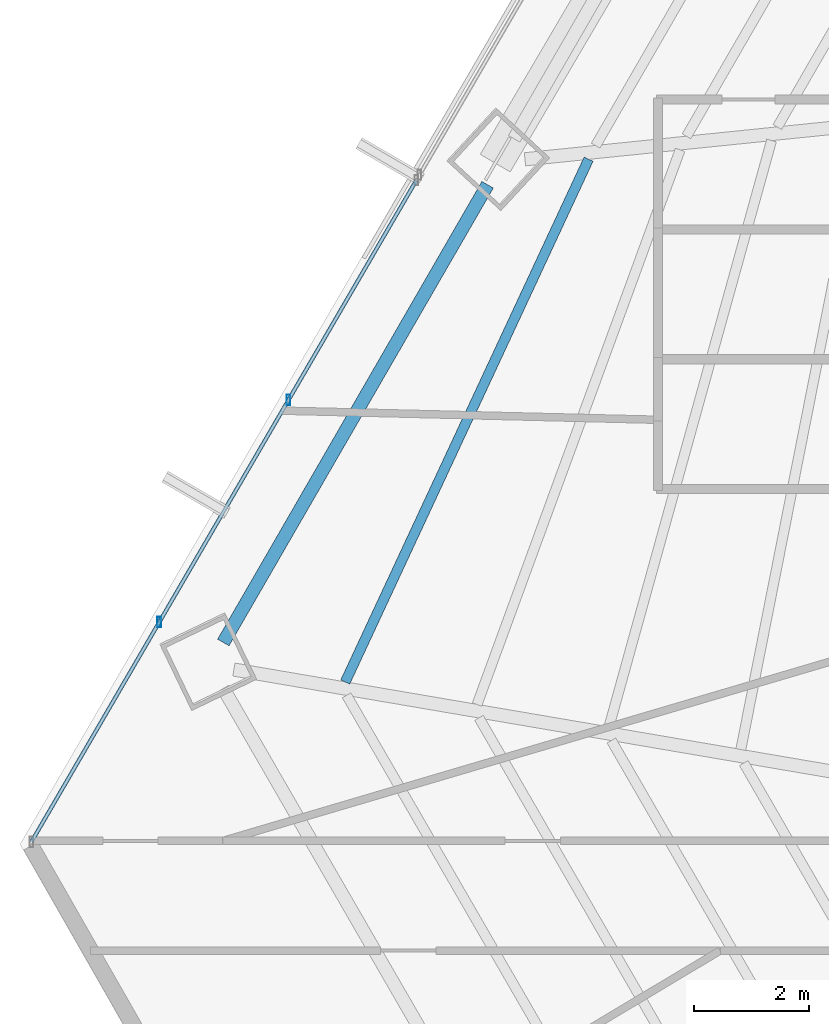
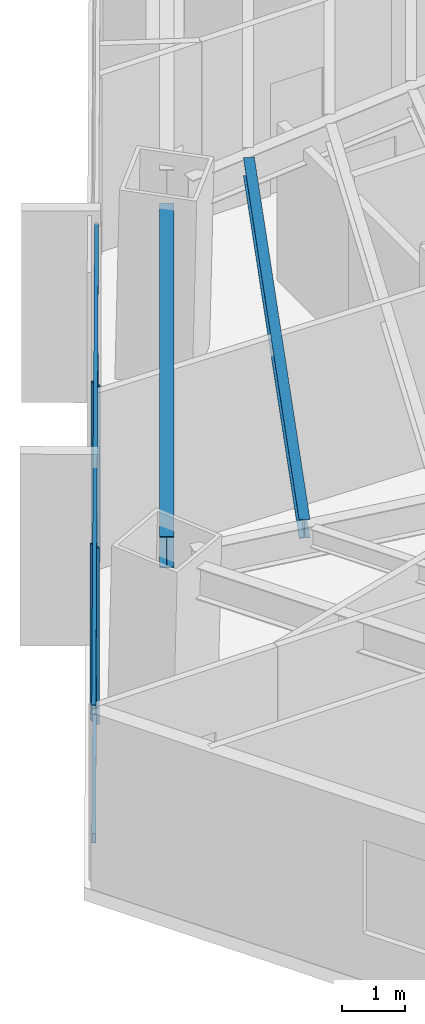
# One storey, part 11 of 36: 4 members, 2 beams, 1 element without a shape of its own.
"""IFC4 building model written with IfcOpenShell, lengths in metres."""

from ifc_helpers import new_model, si_unit, direction, frame, origin, origin_2d, place, context, subcontext, project, spatial, hollow_rectangle, i_section, extrude, source, transform, mapped, material, material_profile, profile_set, type_object, type_shapes, element, aggregate, save


model = new_model("IFC4")

# Units and contexts
model_context = context("Model", 3, precision=1e-05, world=origin(), true_north=direction((0.0, 1.0)))
body_context = subcontext(model_context, "Body", "Model", "MODEL_VIEW")
ifc_project = project(units=[si_unit("LENGTHUNIT", "METRE"), si_unit("AREAUNIT", "SQUARE_METRE"), si_unit("VOLUMEUNIT", "CUBIC_METRE"), si_unit("PLANEANGLEUNIT", "RADIAN"), si_unit("MASSUNIT", "GRAM", prefix="KILO")], contexts=[model_context])

# Site, building, storey
site_placement = place(None, origin())
site = spatial("IfcSite", under=ifc_project, at=site_placement, CompositionType="ELEMENT")
building_placement = place(site_placement, origin())
building = spatial("IfcBuilding", under=site, at=building_placement, Name="Caelisora Broadcast Tower", CompositionType="ELEMENT")
storey_placement = place(building_placement, frame((0.0, 0.0, 60.449951171875)))
storey = spatial("IfcBuildingStorey", under=building, at=storey_placement, Name="L15", CompositionType="ELEMENT", Elevation=60.449951171875)

# Beams
ifc_material_1 = material(Name="Steel Grade 350 (AS/NZS 3679.1)", Category="steel")
ifc_material_profile_1 = material_profile(ifc_material_1, i_section(OverallWidth=0.22900390625, OverallDepth=0.611572265625, WebThickness=0.011962890625, FlangeThickness=0.01953125, at=origin_2d()), Name="Steel Grade 350 (AS/NZS 3679.1)")
ifc_profile_set_1 = profile_set([ifc_material_profile_1], Name="Steel Grade 350 (AS/NZS 3679.1)")
beam_type_1 = type_object("IfcBeamType", Name="PG03", PredefinedType="BEAM", material=ifc_profile_set_1)
shared_shape_1 = source(origin(), body_context, "Body", "SweptSolid", [
    extrude(i_section(OverallWidth=0.22900390625, OverallDepth=0.611572265625, WebThickness=0.011962890625, FlangeThickness=0.01953125, at=origin_2d()), origin(), (0.0, 0.0, 1.0), 9.162353515625),
])
type_shapes(beam_type_1, [shared_shape_1])
beam_1_placement = place(storey_placement, frame((19.247802734375, 28.47412109375, 3.09423828125), z_axis=(-0.500010769599, -0.866019185864, 0.0), x_axis=(0.866019185864, -0.500010769599, 0.0)))
element("IfcBeam", 1, at=beam_1_placement, inside=storey, type_object=beam_type_1, Name="L15 beam PG03", PredefinedType="BEAM", context=body_context, shape_type="MappedRepresentation", body=[
    mapped(shared_shape_1, transform((0.0, 0.0, 0.0), scale=1.0)),
])
ifc_material_profile_2 = material_profile(ifc_material_1, i_section(OverallWidth=0.172119140625, OverallDepth=0.358642578125, WebThickness=0.008056640625, FlangeThickness=0.012939453125, at=origin_2d()), Name="Steel Grade 350 (AS/NZS 3679.1)")
ifc_profile_set_2 = profile_set([ifc_material_profile_2], Name="Steel Grade 350 (AS/NZS 3679.1)")
beam_type_2 = type_object("IfcBeamType", Name="SB02", PredefinedType="JOIST", material=ifc_profile_set_2)
shared_shape_2 = source(origin(), body_context, "Body", "SweptSolid", [
    extrude(i_section(OverallWidth=0.172119140625, OverallDepth=0.358642578125, WebThickness=0.008056640625, FlangeThickness=0.012939453125, at=origin_2d()), origin(), (0.0, 0.0, 1.0), 9.995849609375),
])
type_shapes(beam_type_2, [shared_shape_2])
beam_2_placement = place(storey_placement, frame((20.997802734375, 28.916015625, 3.220703125), z_axis=(-0.421978701991, -0.906605744007, 0.0), x_axis=(0.906605744007, -0.421978701991, 0.0)))
element("IfcBeam", 2, at=beam_2_placement, inside=storey, type_object=beam_type_2, Name="L15 beam SB02", PredefinedType="JOIST", context=body_context, shape_type="MappedRepresentation", body=[
    mapped(shared_shape_2, transform((0.0, 0.0, 0.0), scale=1.0)),
])

# Curtain wall, members
ifc_material_2 = material(Name="Unitised Aluminium and Low-E Glass Curtain Wall", Category="glass")
curtain_wall_type = type_object("IfcCurtainWallType", Name="CW-Z1", PredefinedType="NOTDEFINED", material=ifc_material_2)
curtain_wall_placement = place(storey_placement, origin())
curtain_wall = element("IfcCurtainWall", 3, at=curtain_wall_placement, inside=storey, type_object=curtain_wall_type, Name="L15 curtain wall CW-Z1", PredefinedType="NOTDEFINED")
ifc_material_3 = material(Name="Aluminium 6063-T6 Anodised Terracotta Bronze", Category="aluminium")
ifc_material_profile_3 = material_profile(ifc_material_3, hollow_rectangle(XDim=0.06494140625, YDim=0.179931640625, WallThickness=0.00341796875, at=origin_2d()), Name="Aluminium 6063-T6 Anodised Terracotta Bronze")
ifc_profile_set_3 = profile_set([ifc_material_profile_3], Name="Aluminium 6063-T6 Anodised Terracotta Bronze")
member_type_1 = type_object("IfcMemberType", Name="CWM-02", PredefinedType="MULLION", material=ifc_profile_set_3)
shared_shape_3 = source(origin(), body_context, "Body", "SweptSolid", [
    extrude(hollow_rectangle(XDim=0.06494140625, YDim=0.179931640625, WallThickness=0.00341796875, at=origin_2d()), origin(), (0.0, 0.0, 1.0), 3.400146484375),
])
type_shapes(member_type_1, [shared_shape_3])
member_1_placement = place(storey_placement, frame((13.55615234375, 20.89111328125, 0.0), z_axis=(0.0, 0.0, 1.0), x_axis=(1.0, 0.0, 0.0)))
member_1 = element("IfcMember", 4, at=member_1_placement, type_object=member_type_1, Name="L15-CW-B09 mullion #1", PredefinedType="MULLION", context=body_context, shape_type="MappedRepresentation", body=[
    mapped(shared_shape_3, transform((0.0, 0.0, 0.0), scale=1.0)),
])
member_2_placement = place(storey_placement, frame((15.797119140625, 24.742919921875, 0.0), z_axis=(0.0, 0.0, 1.0), x_axis=(1.0, 0.0, 0.0)))
member_2 = element("IfcMember", 5, at=member_2_placement, type_object=member_type_1, Name="L15-CW-B09 mullion #2", PredefinedType="MULLION", context=body_context, shape_type="MappedRepresentation", body=[
    mapped(shared_shape_3, transform((0.0, 0.0, 0.0), scale=1.0)),
])
ifc_material_profile_4 = material_profile(ifc_material_3, hollow_rectangle(XDim=0.06494140625, YDim=0.179931640625, WallThickness=0.00341796875, at=origin_2d()), Name="Aluminium 6063-T6 Anodised Terracotta Bronze")
ifc_profile_set_4 = profile_set([ifc_material_profile_4], Name="Aluminium 6063-T6 Anodised Terracotta Bronze")
member_type_2 = type_object("IfcMemberType", Name="CWT-01", PredefinedType="USERDEFINED", material=ifc_profile_set_4)
shared_shape_4 = source(origin(), body_context, "Body", "SweptSolid", [
    extrude(hollow_rectangle(XDim=0.06494140625, YDim=0.179931640625, WallThickness=0.00341796875, at=origin_2d()), origin(), (0.0, 0.0, 1.0), 13.26953125),
])
type_shapes(member_type_2, [shared_shape_4])
member_3_placement = place(storey_placement, frame((11.340087890625, 17.082275390625, 0.85009765625), z_axis=(0.502890329341, 0.864350228007, 0.0), x_axis=(-0.864350228007, 0.502890329341, 0.0)))
member_3 = element("IfcMember", 6, at=member_3_placement, type_object=member_type_2, Name="L15-CW-B09 transom #1", ObjectType="TRANSOM", PredefinedType="USERDEFINED", context=body_context, shape_type="MappedRepresentation", body=[
    mapped(shared_shape_4, transform((0.0, 0.0, 0.0), scale=1.0)),
])
member_4_placement = place(storey_placement, frame((11.340087890625, 17.082275390625, 3.320068359375), z_axis=(0.502890329341, 0.864350228007, 0.0), x_axis=(-0.864350228007, 0.502890329341, 0.0)))
member_4 = element("IfcMember", 7, at=member_4_placement, type_object=member_type_2, Name="L15-CW-B09 transom #2", ObjectType="TRANSOM", PredefinedType="USERDEFINED", context=body_context, shape_type="MappedRepresentation", body=[
    mapped(shared_shape_4, transform((0.0, 0.0, 0.0), scale=1.0)),
])
aggregate(curtain_wall, [member_1, member_2, member_3, member_4])

save(model, "model.ifc")
